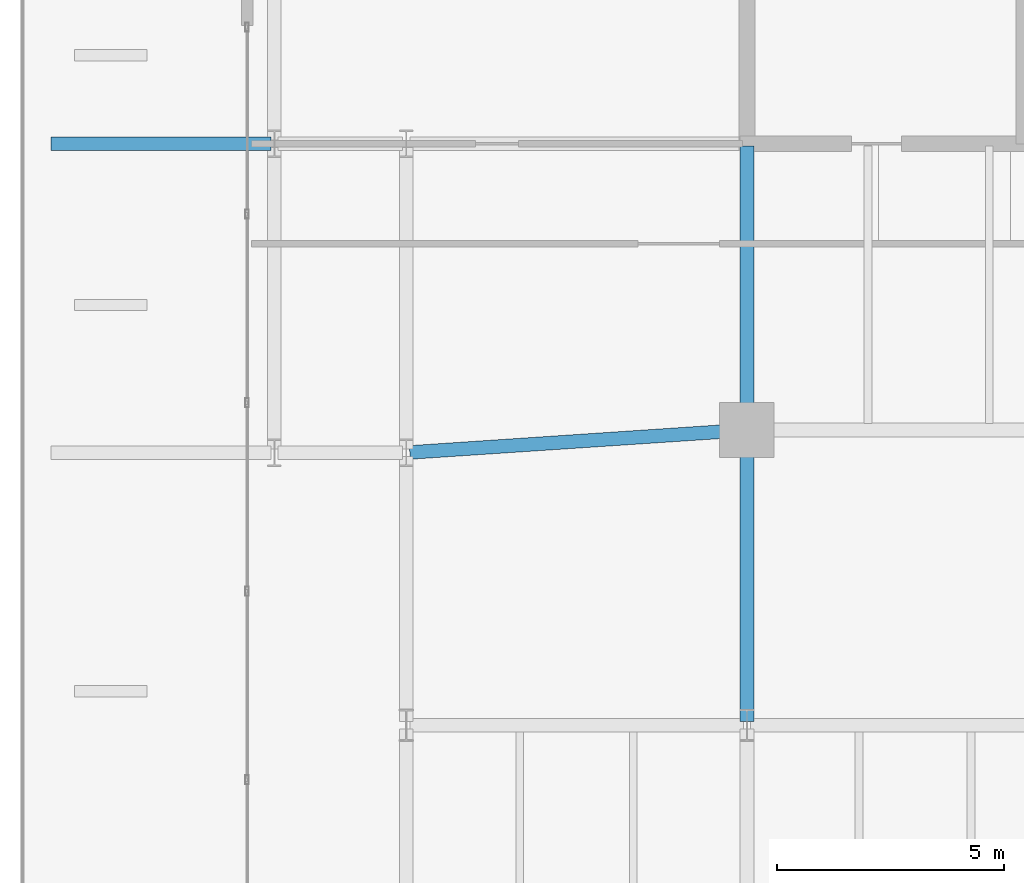
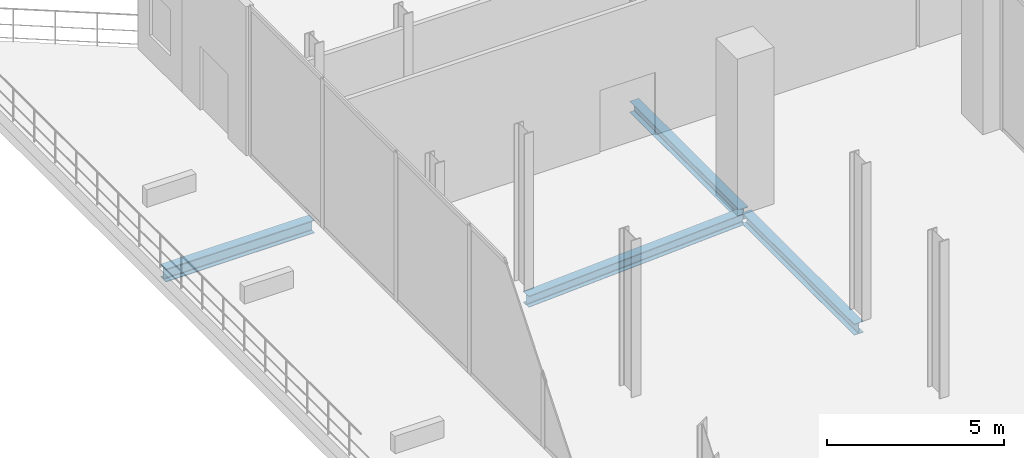
# One storey, part 6 of 18: 4 beams.
"""IFC4 building model written with IfcOpenShell, lengths in metres."""

from ifc_helpers import new_model, si_unit, direction, frame, origin, origin_2d, place, context, subcontext, project, spatial, i_section, extrude, material, material_profile, profile_set, type_object, element, save


model = new_model("IFC4")

# Units and contexts
model_context = context("Model", 3, precision=1e-05, world=origin(), true_north=direction((0.0, 1.0)))
body_context = subcontext(model_context, "Body", "Model", "MODEL_VIEW")
ifc_project = project(units=[si_unit("LENGTHUNIT", "METRE"), si_unit("AREAUNIT", "SQUARE_METRE"), si_unit("VOLUMEUNIT", "CUBIC_METRE"), si_unit("PLANEANGLEUNIT", "RADIAN"), si_unit("MASSUNIT", "GRAM", prefix="KILO")], contexts=[model_context])

# Site, building, storey
site_placement = place(None, origin())
site = spatial("IfcSite", under=ifc_project, at=site_placement, CompositionType="ELEMENT")
building_placement = place(site_placement, origin())
building = spatial("IfcBuilding", under=site, at=building_placement, Name="Catumbela Crestline Tower", CompositionType="ELEMENT")
storey_placement = place(building_placement, frame((0.0, 0.0, 148.8)))
storey = spatial("IfcBuildingStorey", under=building, at=storey_placement, Name="L38", CompositionType="ELEMENT", Elevation=148.8)

# Beams
ifc_material = material(Name="Structural steel S355J2", Category="steel")
ifc_material_profile_1 = material_profile(ifc_material, i_section(OverallWidth=0.3, OverallDepth=0.39, WebThickness=0.011, FlangeThickness=0.019, FilletRadius=0.027, at=origin_2d()), Name="HEA 400")
ifc_profile_set_1 = profile_set([ifc_material_profile_1], Name="Structural steel S355J2")
beam_type_1 = type_object("IfcBeamType", Name="BG-HEA400", PredefinedType="BEAM", material=ifc_profile_set_1)
beam_1_placement = place(storey_placement, frame((8.5798, 24.0053, -0.545), z_axis=(0.997784796964, 0.066524423687, 0.0), x_axis=(-0.066524423687, 0.997784796964, 0.0)))
element("IfcBeam", 1, at=beam_1_placement, inside=storey, type_object=beam_type_1, Name="L38 Beam BM-L38-S02", PredefinedType="BEAM", context=body_context, shape_type="SweptSolid", body=[
    extrude(i_section(OverallWidth=0.3, OverallDepth=0.39, WebThickness=0.011, FlangeThickness=0.019, FilletRadius=0.027, at=origin_2d()), origin(), (0.0, 0.0, 1.0), 7.3567),
])
beam_2_placement = place(storey_placement, frame((16.0, 24.58, -0.545), z_axis=(0.0, 1.0, 0.0), x_axis=(-1.0, 0.0, 0.0)))
element("IfcBeam", 2, at=beam_2_placement, inside=storey, type_object=beam_type_1, Name="L38 Beam BM-L38-SNS17", PredefinedType="BEAM", context=body_context, shape_type="SweptSolid", body=[
    extrude(i_section(OverallWidth=0.3, OverallDepth=0.39, WebThickness=0.011, FlangeThickness=0.019, FilletRadius=0.027, at=origin_2d()), origin(), (0.0, 0.0, 1.0), 6.17),
])
beam_3_placement = place(storey_placement, frame((16.0, 18.08, -0.545), z_axis=(0.0, 1.0, 0.0), x_axis=(-1.0, 0.0, 0.0)))
element("IfcBeam", 3, at=beam_3_placement, inside=storey, type_object=beam_type_1, Name="L38 Beam BM-L38-WNS42", PredefinedType="BEAM", context=body_context, shape_type="SweptSolid", body=[
    extrude(i_section(OverallWidth=0.3, OverallDepth=0.39, WebThickness=0.011, FlangeThickness=0.019, FilletRadius=0.027, at=origin_2d()), origin(), (0.0, 0.0, 1.0), 6.34),
])
ifc_material_profile_2 = material_profile(ifc_material, i_section(OverallWidth=0.3, OverallDepth=0.45, WebThickness=0.014, FlangeThickness=0.026, FilletRadius=0.027, at=origin_2d()), Name="HEB 450")
ifc_profile_set_2 = profile_set([ifc_material_profile_2], Name="Structural steel S355J2")
beam_type_2 = type_object("IfcBeamType", Name="BG-HEB450", PredefinedType="BEAM", material=ifc_profile_set_2)
beam_4_placement = place(storey_placement, frame((0.68, 30.8, -0.995), z_axis=(1.0, 0.0, 0.0), x_axis=(0.0, 1.0, 0.0)))
element("IfcBeam", 4, at=beam_4_placement, inside=storey, type_object=beam_type_2, Name="L38 Sky Garden Terrace Tie Beam 2", PredefinedType="BEAM", context=body_context, shape_type="SweptSolid", body=[
    extrude(i_section(OverallWidth=0.3, OverallDepth=0.45, WebThickness=0.014, FlangeThickness=0.026, FilletRadius=0.027, at=origin_2d()), origin(), (0.0, 0.0, 1.0), 4.84),
])

save(model, "model.ifc")
